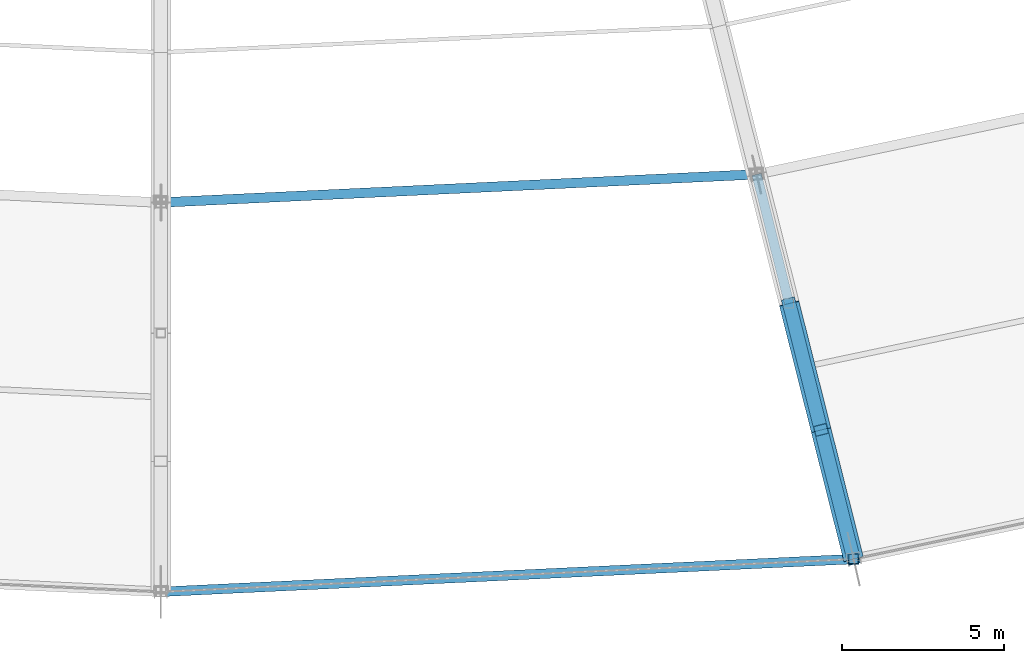
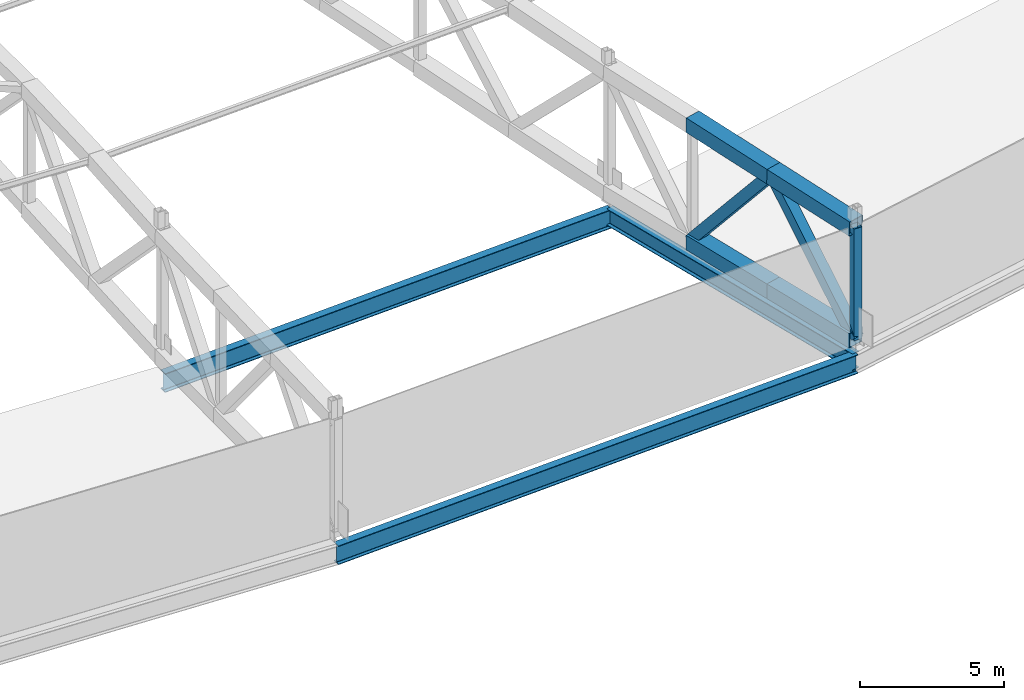
# One storey, part 29 of 162: 7 members, 3 beams.
"""IFC4 building model written with IfcOpenShell, lengths in metres."""

from ifc_helpers import new_model, si_unit, direction, frame, origin, origin_2d, place, context, subcontext, project, spatial, hollow_rectangle, i_section, extrude, material, material_profile, profile_set, type_object, element, save


model = new_model("IFC4")

# Units and contexts
model_context = context("Model", 3, precision=1e-05, world=origin(), true_north=direction((0.0, 1.0)))
body_context = subcontext(model_context, "Body", "Model", "MODEL_VIEW")
ifc_project = project(units=[si_unit("LENGTHUNIT", "METRE"), si_unit("AREAUNIT", "SQUARE_METRE"), si_unit("VOLUMEUNIT", "CUBIC_METRE"), si_unit("PLANEANGLEUNIT", "RADIAN"), si_unit("MASSUNIT", "GRAM", prefix="KILO")], contexts=[model_context])

# Site, building, storey
site_placement = place(None, origin())
site = spatial("IfcSite", under=ifc_project, at=site_placement, CompositionType="ELEMENT")
building_placement = place(site_placement, origin())
building = spatial("IfcBuilding", under=site, at=building_placement, Name="Kazemori Nagisa Stadium", CompositionType="ELEMENT")
storey_placement = place(building_placement, frame((0.0, 0.0, 36.719970703125)))
storey = spatial("IfcBuildingStorey", under=building, at=storey_placement, Name="RF", CompositionType="ELEMENT", Elevation=36.719970703125)

# Beams
ifc_material_1 = material(Name="Steel SN490B", Category="steel")
ifc_material_profile_1 = material_profile(ifc_material_1, i_section(OverallWidth=0.300048828125, OverallDepth=0.699951171875, WebThickness=0.012939453125, FlangeThickness=0.02392578125, FilletRadius=0.01806640625, at=origin_2d()), Name="H-700x300x13x24")
ifc_profile_set_1 = profile_set([ifc_material_profile_1], Name="Steel SN490B")
beam_type_1 = type_object("IfcBeamType", Name="Beam_BG-H700", PredefinedType="BEAM", material=ifc_profile_set_1)
beam_1_placement = place(storey_placement, frame((141.427734375, 28.911376953125, -0.6298828125), z_axis=(0.244487324834, -0.969652488263, 0.0), x_axis=(0.969652488263, 0.244487324834, 0.0)))
element("IfcBeam", 1, at=beam_1_placement, inside=storey, type_object=beam_type_1, Name="Radial girder BG-H700 RF R2-R3-23", PredefinedType="BEAM", context=body_context, shape_type="SweptSolid", body=[
    extrude(i_section(OverallWidth=0.300048828125, OverallDepth=0.699951171875, WebThickness=0.012939453125, FlangeThickness=0.02392578125, FilletRadius=0.01806640625, at=origin_2d()), origin(), (0.0, 0.0, 1.0), 12.2705078125),
])
ifc_material_profile_2 = material_profile(ifc_material_1, i_section(OverallWidth=0.300048828125, OverallDepth=0.800048828125, WebThickness=0.013916015625, FlangeThickness=0.02587890625, FilletRadius=0.01806640625, at=origin_2d()), Name="H-800x300x14x26")
ifc_profile_set_2 = profile_set([ifc_material_profile_2], Name="Steel SN490B")
beam_type_2 = type_object("IfcBeamType", Name="Beam_BG-H800", PredefinedType="BEAM", material=ifc_profile_set_2)
beam_2_placement = place(storey_placement, frame((123.0, 28.0400390625, -0.679931640625), z_axis=(0.9988839804, 0.047231278829, 0.0), x_axis=(-0.047231278829, 0.9988839804, 0.0)))
element("IfcBeam", 2, at=beam_2_placement, inside=storey, type_object=beam_type_2, Name="Ring girder BG-H800 RF R2-22", PredefinedType="BEAM", context=body_context, shape_type="SweptSolid", body=[
    extrude(i_section(OverallWidth=0.300048828125, OverallDepth=0.800048828125, WebThickness=0.013916015625, FlangeThickness=0.02587890625, FilletRadius=0.01806640625, at=origin_2d()), origin(), (0.0, 0.0, 1.0), 18.4482421875),
])
beam_3_placement = place(storey_placement, frame((123.0, 16.0, -0.679931640625), z_axis=(0.998883994571, 0.047230979144, 0.0), x_axis=(-0.047230979144, 0.998883994571, 0.0)))
element("IfcBeam", 3, at=beam_3_placement, inside=storey, type_object=beam_type_2, Name="Roof compression ring beam BG-H800 R3-22", PredefinedType="BEAM", context=body_context, shape_type="SweptSolid", body=[
    extrude(i_section(OverallWidth=0.300048828125, OverallDepth=0.800048828125, WebThickness=0.013916015625, FlangeThickness=0.02587890625, FilletRadius=0.01806640625, at=origin_2d()), origin(), (0.0, 0.0, 1.0), 21.45166015625),
])

# Members
ifc_material_2 = material(Name="Steel STKR490", Category="steel")
ifc_material_profile_3 = material_profile(ifc_material_2, hollow_rectangle(XDim=0.419921875, YDim=0.419921875, WallThickness=0.01611328125, at=origin_2d()), Name="SHS-420x420x16")
ifc_profile_set_3 = profile_set([ifc_material_profile_3], Name="Steel STKR490")
member_type_1 = type_object("IfcMemberType", Name="Member_TB-SHS420", PredefinedType="BRACE", material=ifc_profile_set_3)
member_1_placement = place(storey_placement, frame((144.427734375, 17.01318359375, 0.360107421875), z_axis=(-0.1573210016, 0.623982765376, 0.76543818233), x_axis=(-0.969655974534, -0.244473497644, 0.0)))
element("IfcMember", 4, at=member_1_placement, inside=storey, type_object=member_type_1, Name="Roof space truss diagonal RT-23-1", PredefinedType="BRACE", context=body_context, shape_type="SweptSolid", body=[
    extrude(hollow_rectangle(XDim=0.419921875, YDim=0.419921875, WallThickness=0.01611328125, at=origin_2d()), origin(), (0.0, 0.0, 1.0), 6.4013671875),
])
member_2_placement = place(storey_placement, frame((143.420654296875, 21.007568359375, 5.260009765625), z_axis=(-0.156881185303, 0.622124423045, -0.76703943572), x_axis=(-0.969645363657, -0.244515579744, 0.0)))
element("IfcMember", 5, at=member_2_placement, inside=storey, type_object=member_type_1, Name="Roof space truss diagonal RT-23-2", PredefinedType="BRACE", context=body_context, shape_type="SweptSolid", body=[
    extrude(hollow_rectangle(XDim=0.419921875, YDim=0.419921875, WallThickness=0.01611328125, at=origin_2d()), origin(), (0.0, 0.0, 1.0), 6.283935546875),
])
ifc_material_profile_4 = material_profile(ifc_material_2, hollow_rectangle(XDim=0.6201171875, YDim=0.6201171875, WallThickness=0.02197265625, at=origin_2d()), Name="SHS-620x620x22")
ifc_profile_set_4 = profile_set([ifc_material_profile_4], Name="Steel STKR490")
member_type_2 = type_object("IfcMemberType", Name="Member_TC-SHS620", PredefinedType="CHORD", material=ifc_profile_set_4)
member_3_placement = place(storey_placement, frame((144.427734375, 17.01318359375, 5.10009765625), z_axis=(-0.244289501149, 0.968926188677, 0.038790211698), x_axis=(-0.969655974534, -0.244473497644, 0.0)))
element("IfcMember", 6, at=member_3_placement, inside=storey, type_object=member_type_2, Name="Roof space truss top chord RT-23-1", PredefinedType="CHORD", context=body_context, shape_type="SweptSolid", body=[
    extrude(hollow_rectangle(XDim=0.6201171875, YDim=0.6201171875, WallThickness=0.02197265625, at=origin_2d()), origin(), (0.0, 0.0, 1.0), 4.12255859375),
])
member_4_placement = place(storey_placement, frame((144.427734375, 17.01318359375, 0.360107421875), z_axis=(-0.244461950505, 0.969610175083, 0.009719214517), x_axis=(-0.969655974534, -0.244473497644, 0.0)))
element("IfcMember", 7, at=member_4_placement, inside=storey, type_object=member_type_2, Name="Roof space truss bottom chord RT-23-1", PredefinedType="CHORD", context=body_context, shape_type="SweptSolid", body=[
    extrude(hollow_rectangle(XDim=0.6201171875, YDim=0.6201171875, WallThickness=0.02197265625, at=origin_2d()), origin(), (0.0, 0.0, 1.0), 4.11962890625),
])
member_5_placement = place(storey_placement, frame((143.420654296875, 21.007568359375, 5.260009765625), z_axis=(-0.244323479661, 0.968883575982, 0.039631470822), x_axis=(-0.969645363657, -0.244515579744, 0.0)))
element("IfcMember", 8, at=member_5_placement, inside=storey, type_object=member_type_2, Name="Roof space truss top chord RT-23-2", PredefinedType="CHORD", context=body_context, shape_type="SweptSolid", body=[
    extrude(hollow_rectangle(XDim=0.6201171875, YDim=0.6201171875, WallThickness=0.02197265625, at=origin_2d()), origin(), (0.0, 0.0, 1.0), 4.034912109375),
])
member_6_placement = place(storey_placement, frame((143.420654296875, 21.007568359375, 0.400146484375), z_axis=(-0.244503670054, 0.969598134864, 0.009869761817), x_axis=(-0.969645363657, -0.244515579744, 0.0)))
element("IfcMember", 9, at=member_6_placement, inside=storey, type_object=member_type_2, Name="Roof space truss bottom chord RT-23-2", PredefinedType="CHORD", context=body_context, shape_type="SweptSolid", body=[
    extrude(hollow_rectangle(XDim=0.6201171875, YDim=0.6201171875, WallThickness=0.02197265625, at=origin_2d()), origin(), (0.0, 0.0, 1.0), 4.031982421875),
])
ifc_material_profile_5 = material_profile(ifc_material_2, hollow_rectangle(XDim=0.320068359375, YDim=0.320068359375, WallThickness=0.011962890625, at=origin_2d()), Name="SHS-320x320x12")
ifc_profile_set_5 = profile_set([ifc_material_profile_5], Name="Steel STKR490")
member_type_3 = type_object("IfcMemberType", Name="Member_TS-SHS320", PredefinedType="STRUT", material=ifc_profile_set_5)
member_7_placement = place(storey_placement, frame((144.427734375, 17.01318359375, 0.360107421875), z_axis=(0.0, 0.0, 1.0), x_axis=(1.0, 0.0, 0.0)))
element("IfcMember", 10, at=member_7_placement, inside=storey, type_object=member_type_3, Name="Roof space truss strut RT-23-1", PredefinedType="STRUT", context=body_context, shape_type="SweptSolid", body=[
    extrude(hollow_rectangle(XDim=0.320068359375, YDim=0.320068359375, WallThickness=0.011962890625, at=origin_2d()), origin(), (0.0, 0.0, 1.0), 4.739990234375),
])

save(model, "model.ifc")
